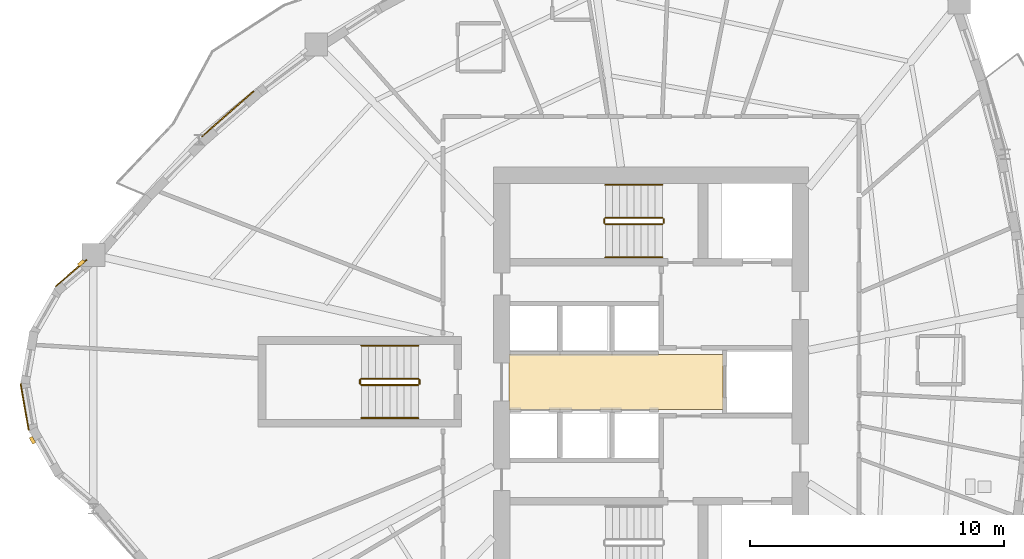
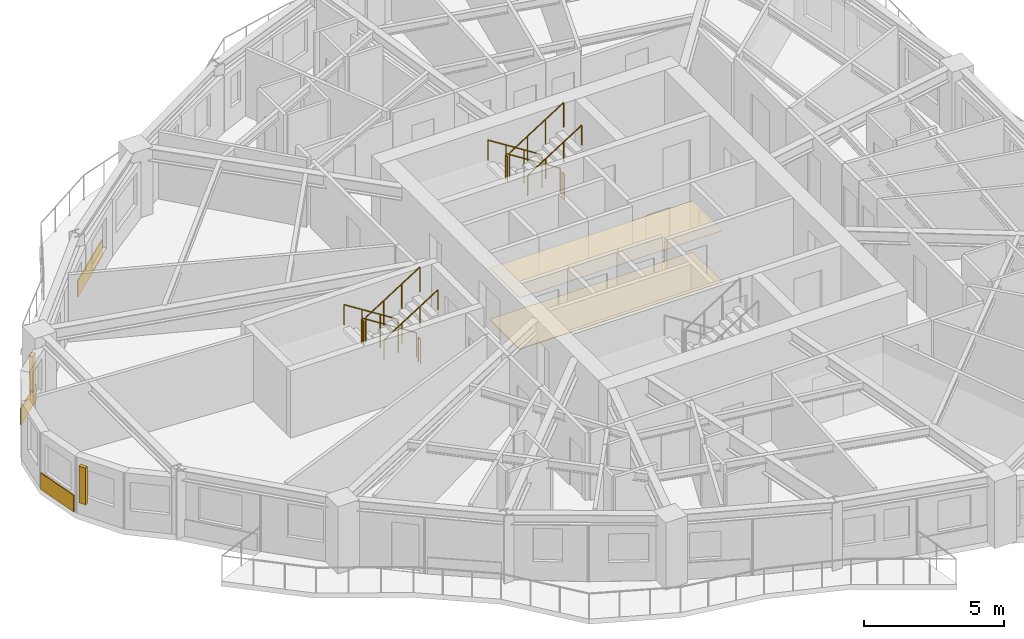
# One storey, part 11 of 13: 12 railings, 5 coverings, 2 shading devices.
"""IFC4 building model written with IfcOpenShell, lengths in metres."""

from ifc_helpers import new_model, si_unit, direction, frame, origin, origin_2d, place, context, subcontext, project, spatial, polyline, rectangle, circle, outline, extrude, source, transform, mapped, material, layer, layer_set, type_object, element, save


model = new_model("IFC4")

# Units and contexts
model_context = context("Model", 3, precision=1e-05, world=origin(), true_north=direction((0.0, 1.0)))
body_context = subcontext(model_context, "Body", "Model", "MODEL_VIEW")
ifc_project = project(units=[si_unit("LENGTHUNIT", "METRE"), si_unit("AREAUNIT", "SQUARE_METRE"), si_unit("VOLUMEUNIT", "CUBIC_METRE"), si_unit("PLANEANGLEUNIT", "RADIAN"), si_unit("MASSUNIT", "GRAM", prefix="KILO")], contexts=[model_context])

# Site, building, storey
site_placement = place(None, origin())
site = spatial("IfcSite", under=ifc_project, at=site_placement, CompositionType="ELEMENT")
building_placement = place(site_placement, origin())
building = spatial("IfcBuilding", under=site, at=building_placement, Name="Qafzar Sky-Pleat Residences", CompositionType="ELEMENT")
storey_placement = place(building_placement, frame((0.0, 0.0, 105.60009765625)))
storey = spatial("IfcBuildingStorey", under=building, at=storey_placement, Name="L31", CompositionType="ELEMENT", Elevation=105.60009765625)

# Coverings
ifc_material_1 = material(Name="Perforated acoustic gypsum board ceiling")
ifc_layer_1 = layer(ifc_material_1, 0.02001953125)
ifc_layer_set_1 = layer_set([ifc_layer_1], Name="Perforated acoustic gypsum board ceiling")
covering_type_1 = type_object("IfcCoveringType", Name="COV-CEIL-ACOUSTIC", PredefinedType="CEILING", material=ifc_layer_set_1)
covering_1_placement = place(storey_placement, frame((0.0, 0.0, 2.239990234375)))
element("IfcCovering", 1, at=covering_1_placement, inside=storey, type_object=covering_type_1, Name="L31 Passenger Lift Lobby Acoustic Ceiling", PredefinedType="CEILING", context=body_context, shape_type="SweptSolid", body=[
    extrude(outline(polyline([(33.179931640625, 24.919921875), (24.77001953125, 24.919921875), (24.77001953125, 27.080078125), (33.179931640625, 27.080078125), (33.179931640625, 24.919921875)])), origin(), (0.0, 0.0, 1.0), 0.02001953125),
])
ifc_material_2 = material(Name="Honed porcelain and Riyadh stone tile flooring", Category="masonry")
ifc_layer_2 = layer(ifc_material_2, 0.02001953125)
ifc_layer_set_2 = layer_set([ifc_layer_2], Name="Honed porcelain and Riyadh stone tile flooring")
covering_type_2 = type_object("IfcCoveringType", Name="COV-FLR-PORCELAIN", PredefinedType="FLOORING", material=ifc_layer_set_2)
covering_2_placement = place(storey_placement, origin())
element("IfcCovering", 2, at=covering_2_placement, inside=storey, type_object=covering_type_2, Name="L31 Passenger Lift Lobby Honed Stone Flooring", PredefinedType="FLOORING", context=body_context, shape_type="SweptSolid", body=[
    extrude(outline(polyline([(33.179931640625, 24.919921875), (24.77001953125, 24.919921875), (24.77001953125, 27.080078125), (33.179931640625, 27.080078125), (33.179931640625, 24.919921875)])), origin(), (0.0, 0.0, 1.0), 0.02001953125),
])

# Shading devices
ifc_material_3 = material(Name="Honed Riyadh limestone solar fin", Category="masonry")
ifc_layer_3 = layer(ifc_material_3, 0.139892578125)
ifc_layer_set_3 = layer_set([ifc_layer_3], Name="Honed Riyadh limestone solar fin")
shading_device_type = type_object("IfcShadingDeviceType", Name="SHD-FIN-STONE", PredefinedType="SHUTTER", material=ifc_layer_set_3)
shared_shape_1 = source(origin(), body_context, "Body", "SweptSolid", [
    extrude(rectangle(XDim=0.139892578125, YDim=0.280029296875, at=origin_2d()), origin(), (0.0, 0.0, 1.0), 1.60009765625),
])
for number, where, z_axis, x_axis, name in (
    (3, (7.941650390625, 30.67431640625, 0.599853515625), (0.0, 0.0, 1.0), (-0.648602943999, 0.761126941473, 0.0), "L31 Limestone Solar Fin 1"),
    (4, (6.02294921875, 23.702392578125, 0.599853515625), (0.0, 0.0, 1.0), (-0.868298604268, -0.49604186701, 0.0), "L31 Limestone Solar Fin 5"),
):
    element("IfcShadingDevice", number, at=place(storey_placement, frame(where, z_axis=z_axis, x_axis=x_axis)), inside=storey, type_object=shading_device_type, Name=name, PredefinedType="SHUTTER", context=body_context, shape_type="MappedRepresentation", body=[
        mapped(shared_shape_1, transform((0.0, 0.0, 0.0), x_axis=(1.0, 0.0, 0.0), y_axis=(0.0, 1.0, 0.0), z_axis=(0.0, 0.0, 1.0), scale=1.0)),
    ])

# Coverings
ifc_material_4 = material(Name="Honed Riyadh Tuwaiq limestone cladding", Category="masonry")
ifc_layer_4 = layer(ifc_material_4, 0.044921875)
ifc_layer_set_4 = layer_set([ifc_layer_4], Name="Honed Riyadh Tuwaiq limestone cladding")
covering_type_3 = type_object("IfcCoveringType", Name="COV-CLAD-STONE", PredefinedType="CLADDING", material=ifc_layer_set_4)
shared_shape_2 = source(origin(), body_context, "Body", "SweptSolid", [
    extrude(rectangle(XDim=1.62451171875, YDim=0.044921875, at=origin_2d()), origin(), (0.0, 0.0, 1.0), 0.719970703125),
])
covering_3_placement = place(storey_placement, frame((7.543212890625, 30.278564453125, 0.02001953125), z_axis=(0.0, 0.0, 1.0), x_axis=(-0.761154082005, -0.648571093595, 0.0)))
element("IfcCovering", 5, at=covering_3_placement, inside=storey, type_object=covering_type_3, Name="L31 Riyadh Limestone Spandrel Cladding 1", PredefinedType="CLADDING", context=body_context, shape_type="MappedRepresentation", body=[
    mapped(shared_shape_2, transform((0.0, 0.0, 0.0), x_axis=(1.0, 0.0, 0.0), y_axis=(0.0, 1.0, 0.0), z_axis=(0.0, 0.0, 1.0), scale=1.0)),
])
shared_shape_3 = source(origin(), body_context, "Body", "SweptSolid", [
    extrude(rectangle(XDim=1.865478515625, YDim=0.044921875, at=origin_2d()), origin(), (0.0, 0.0, 1.0), 0.719970703125),
])
covering_4_placement = place(storey_placement, frame((5.71533203125, 25.0126953125, 0.02001953125), z_axis=(0.0, 0.0, 1.0), x_axis=(0.172169696941, -0.985067305038, 0.0)))
element("IfcCovering", 6, at=covering_4_placement, inside=storey, type_object=covering_type_3, Name="L31 Riyadh Limestone Spandrel Cladding 4", PredefinedType="CLADDING", context=body_context, shape_type="MappedRepresentation", body=[
    mapped(shared_shape_3, transform((0.0, 0.0, 0.0), x_axis=(1.0, 0.0, 0.0), y_axis=(0.0, 1.0, 0.0), z_axis=(0.0, 0.0, 1.0), scale=1.0)),
])
shared_shape_4 = source(origin(), body_context, "Body", "SweptSolid", [
    extrude(rectangle(XDim=2.7080078125, YDim=0.044921875, at=origin_2d()), origin(), (0.0, 0.0, 1.0), 0.719970703125),
])
covering_5_placement = place(storey_placement, frame((13.705810546875, 36.542236328125, 0.02001953125), z_axis=(0.0, 0.0, 1.0), x_axis=(-0.75148242347, -0.659753110804, 0.0)))
element("IfcCovering", 7, at=covering_5_placement, inside=storey, type_object=covering_type_3, Name="L31 Riyadh Limestone Spandrel Cladding 46", PredefinedType="CLADDING", context=body_context, shape_type="MappedRepresentation", body=[
    mapped(shared_shape_4, transform((0.0, 0.0, 0.0), x_axis=(1.0, 0.0, 0.0), y_axis=(0.0, 1.0, 0.0), z_axis=(0.0, 0.0, 1.0), scale=1.0)),
])

# Railings
ifc_material_5 = material(Name="Painted Steel S355 stair guardrail", Category="steel")
railing_type_1 = type_object("IfcRailingType", Name="RAIL-STAIR-GUARD", PredefinedType="GUARDRAIL", material=ifc_material_5)
shared_shape_5 = source(origin(), body_context, "Body", "SweptSolid", [
    extrude(circle(Radius=0.02392578125, at=origin_2d()), frame((0.0, 0.0, 1.076171875), z_axis=(0.0, -1.0, 0.0), x_axis=(1.0, 0.0, 0.0)), (0.0, 0.0, 1.0), 0.14990234375),
    extrude(circle(Radius=0.02099609375, at=origin_2d()), origin(), (0.0, 0.0, 1.0), 1.052001953125),
    extrude(circle(Radius=0.02099609375, at=origin_2d()), frame((0.0, -0.14990234375, 0.0)), (0.0, 0.0, 1.0), 1.052001953125),
])
for number, where, name in (
    (8, (28.510009765625, 32.39990234375, 1.599853515625), "L31 ST2 stair guard 2"),
    (9, (30.85009765625, 32.39990234375, 0.0), "L31 ST2 stair guard 4"),
    (10, (18.909912109375, 26.074951171875, 1.599853515625), "L31 ST3 stair guard 2"),
    (11, (21.25, 26.074951171875, 0.0), "L31 ST3 stair guard 4"),
):
    element("IfcRailing", number, at=place(storey_placement, frame(where)), inside=storey, type_object=railing_type_1, Name=name, PredefinedType="GUARDRAIL", context=body_context, shape_type="MappedRepresentation", body=[
        mapped(shared_shape_5, transform((0.0, 0.0, 0.0), x_axis=(1.0, 0.0, 0.0), y_axis=(0.0, 1.0, 0.0), z_axis=(0.0, 0.0, 1.0), scale=1.0)),
    ])
shared_shape_6 = source(origin(), body_context, "Body", "SweptSolid", [
    extrude(circle(Radius=0.02392578125, at=origin_2d()), frame((0.0, 0.0, 1.076171875), z_axis=(-0.8442293374, 0.0, 0.53598211339), x_axis=(0.0, -1.0, 0.0)), (0.0, 0.0, 1.0), 2.6533203125),
    extrude(circle(Radius=0.02099609375, at=origin_2d()), origin(), (0.0, 0.0, 1.0), 1.052001953125),
    extrude(circle(Radius=0.02099609375, at=origin_2d()), frame((-0.74658203125, 0.0, 0.47412109375)), (0.0, 0.0, 1.0), 1.052001953125),
    extrude(circle(Radius=0.02099609375, at=origin_2d()), frame((-1.493408203125, 0.0, 0.947998046875)), (0.0, 0.0, 1.0), 1.052001953125),
    extrude(circle(Radius=0.02099609375, at=origin_2d()), frame((-2.239990234375, 0.0, 1.422119140625)), (0.0, 0.0, 1.0), 1.052001953125),
])
for number, where, name in (
    (12, (30.800048828125, 32.449951171875, 0.177734375), "L31 ST2 stair guard 1"),
    (13, (21.199951171875, 26.125, 0.177734375), "L31 ST3 stair guard 1"),
):
    element("IfcRailing", number, at=place(storey_placement, frame(where)), inside=storey, type_object=railing_type_1, Name=name, PredefinedType="GUARDRAIL", context=body_context, shape_type="MappedRepresentation", body=[
        mapped(shared_shape_6, transform((0.0, 0.0, 0.0), x_axis=(1.0, 0.0, 0.0), y_axis=(0.0, 1.0, 0.0), z_axis=(0.0, 0.0, 1.0), scale=1.0)),
    ])
ifc_material_6 = material(Name="Brushed stainless steel handrail", Category="steel")
railing_type_2 = type_object("IfcRailingType", Name="RAIL-STAIR-HAND", PredefinedType="HANDRAIL", material=ifc_material_6)
shared_shape_7 = source(origin(), body_context, "Body", "SweptSolid", [
    extrude(circle(Radius=0.02392578125, at=origin_2d()), frame((0.0, 0.0, 0.8759765625), z_axis=(-0.8442293374, 0.0, 0.53598211339), x_axis=(0.0, -1.0, 0.0)), (0.0, 0.0, 1.0), 2.6533203125),
    extrude(circle(Radius=0.02099609375, at=origin_2d()), origin(), (0.0, 0.0, 1.0), 0.851806640625),
    extrude(circle(Radius=0.02099609375, at=origin_2d()), frame((-0.74658203125, 0.0, 0.47412109375)), (0.0, 0.0, 1.0), 0.851806640625),
    extrude(circle(Radius=0.02099609375, at=origin_2d()), frame((-1.493408203125, 0.0, 0.947998046875)), (0.0, 0.0, 1.0), 0.851806640625),
    extrude(circle(Radius=0.02099609375, at=origin_2d()), frame((-2.239990234375, 0.0, 1.422119140625)), (0.0, 0.0, 1.0), 0.851806640625),
])
for number, where, name in (
    (14, (30.800048828125, 33.75, 0.177734375), "L31 ST2 stair handrail 1"),
    (15, (21.199951171875, 27.425048828125, 0.177734375), "L31 ST3 stair handrail 1"),
):
    element("IfcRailing", number, at=place(storey_placement, frame(where)), inside=storey, type_object=railing_type_2, Name=name, PredefinedType="HANDRAIL", context=body_context, shape_type="MappedRepresentation", body=[
        mapped(shared_shape_7, transform((0.0, 0.0, 0.0), x_axis=(1.0, 0.0, 0.0), y_axis=(0.0, 1.0, 0.0), z_axis=(0.0, 0.0, 1.0), scale=1.0)),
    ])
shared_shape_8 = source(origin(), body_context, "Body", "SweptSolid", [
    extrude(circle(Radius=0.02392578125, at=origin_2d()), frame((0.0, 0.0, 1.076171875), z_axis=(0.84418770128, 0.0, 0.536047689118), x_axis=(0.0, 1.0, 0.0)), (0.0, 0.0, 1.0), 2.6533203125),
    extrude(circle(Radius=0.02099609375, at=origin_2d()), origin(), (0.0, 0.0, 1.0), 1.052001953125),
    extrude(circle(Radius=0.02099609375, at=origin_2d()), frame((0.74658203125, 0.0, 0.47412109375)), (0.0, 0.0, 1.0), 1.052001953125),
    extrude(circle(Radius=0.02099609375, at=origin_2d()), frame((1.493408203125, 0.0, 0.9482421875)), (0.0, 0.0, 1.0), 1.052001953125),
    extrude(circle(Radius=0.02099609375, at=origin_2d()), frame((2.239990234375, 0.0, 1.42236328125)), (0.0, 0.0, 1.0), 1.052001953125),
])
for number, where, name in (
    (16, (28.56005859375, 32.199951171875, 1.777587890625), "L31 ST2 stair guard 3"),
    (17, (18.9599609375, 25.875, 1.777587890625), "L31 ST3 stair guard 3"),
):
    element("IfcRailing", number, at=place(storey_placement, frame(where)), inside=storey, type_object=railing_type_1, Name=name, PredefinedType="GUARDRAIL", context=body_context, shape_type="MappedRepresentation", body=[
        mapped(shared_shape_8, transform((0.0, 0.0, 0.0), x_axis=(1.0, 0.0, 0.0), y_axis=(0.0, 1.0, 0.0), z_axis=(0.0, 0.0, 1.0), scale=1.0)),
    ])
shared_shape_9 = source(origin(), body_context, "Body", "SweptSolid", [
    extrude(circle(Radius=0.02392578125, at=origin_2d()), frame((0.0, 0.0, 0.8759765625), z_axis=(0.84418770128, 0.0, 0.536047689118), x_axis=(0.0, 1.0, 0.0)), (0.0, 0.0, 1.0), 2.6533203125),
    extrude(circle(Radius=0.02099609375, at=origin_2d()), origin(), (0.0, 0.0, 1.0), 0.851806640625),
    extrude(circle(Radius=0.02099609375, at=origin_2d()), frame((0.74658203125, 0.0, 0.47412109375)), (0.0, 0.0, 1.0), 0.851806640625),
    extrude(circle(Radius=0.02099609375, at=origin_2d()), frame((1.493408203125, 0.0, 0.9482421875)), (0.0, 0.0, 1.0), 0.851806640625),
    extrude(circle(Radius=0.02099609375, at=origin_2d()), frame((2.239990234375, 0.0, 1.42236328125)), (0.0, 0.0, 1.0), 0.851806640625),
])
for number, where, name in (
    (18, (28.56005859375, 30.89990234375, 1.777587890625), "L31 ST2 stair handrail 2"),
    (19, (18.9599609375, 24.574951171875, 1.777587890625), "L31 ST3 stair handrail 2"),
):
    element("IfcRailing", number, at=place(storey_placement, frame(where)), inside=storey, type_object=railing_type_2, Name=name, PredefinedType="HANDRAIL", context=body_context, shape_type="MappedRepresentation", body=[
        mapped(shared_shape_9, transform((0.0, 0.0, 0.0), x_axis=(1.0, 0.0, 0.0), y_axis=(0.0, 1.0, 0.0), z_axis=(0.0, 0.0, 1.0), scale=1.0)),
    ])

save(model, "model.ifc")
